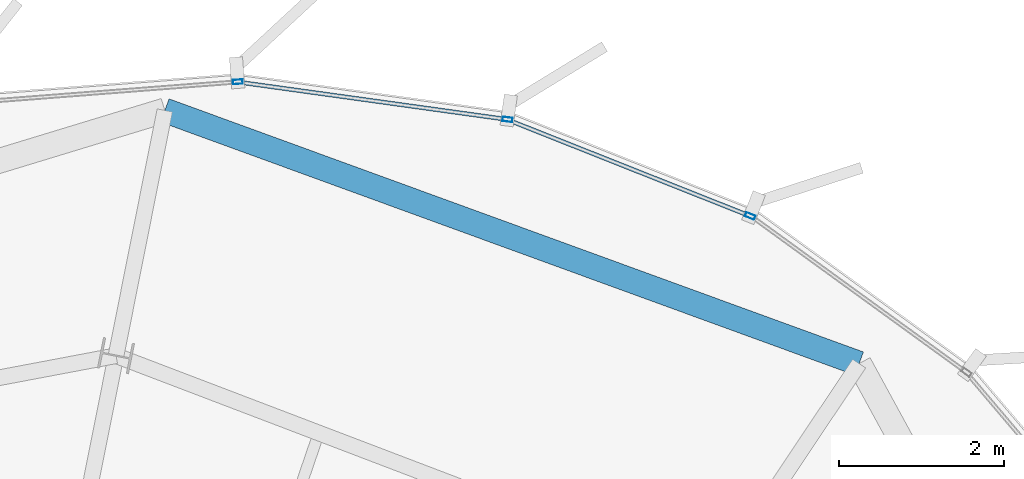
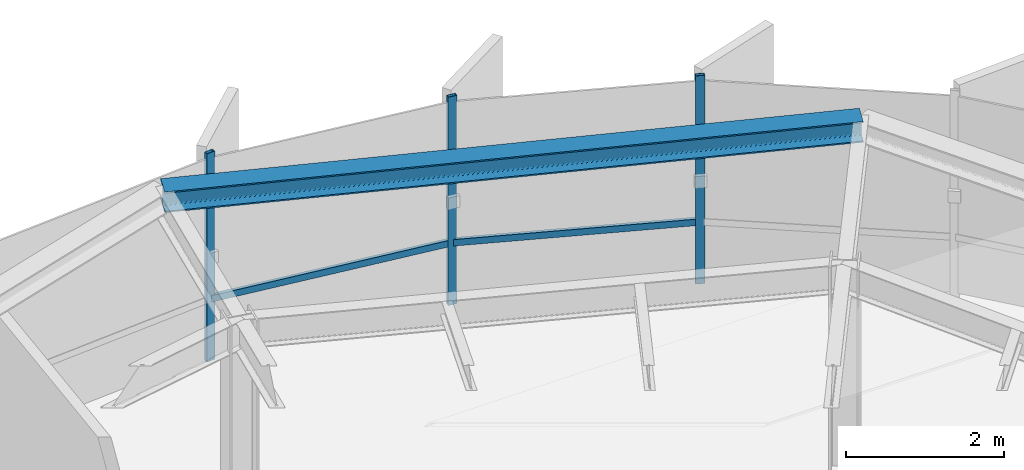
# One storey, part 23 of 32: 5 members, 1 beam, 1 element without a shape of its own.
"""IFC4 building model written with IfcOpenShell, lengths in metres."""

from ifc_helpers import new_model, si_unit, direction, frame, origin, origin_2d, place, context, subcontext, project, spatial, hollow_rectangle, i_section, extrude, source, transform, mapped, material, layer, layer_set, material_profile, profile_set, type_object, element, aggregate, save


model = new_model("IFC4")

# Units and contexts
model_context = context("Model", 3, precision=1e-05, world=origin(), true_north=direction((0.0, 1.0)))
body_context = subcontext(model_context, "Body", "Model", "MODEL_VIEW")
ifc_project = project(units=[si_unit("LENGTHUNIT", "METRE"), si_unit("AREAUNIT", "SQUARE_METRE"), si_unit("VOLUMEUNIT", "CUBIC_METRE"), si_unit("PLANEANGLEUNIT", "RADIAN"), si_unit("MASSUNIT", "GRAM", prefix="KILO"), si_unit("THERMODYNAMICTEMPERATUREUNIT", "KELVIN")], contexts=[model_context])

# Site, building, storey
site_placement = place(None, origin())
site = spatial("IfcSite", under=ifc_project, at=site_placement, CompositionType="ELEMENT")
building_placement = place(site_placement, origin())
building = spatial("IfcBuilding", under=site, at=building_placement, Name="Kethvar Cultural Tower", CompositionType="ELEMENT")
storey_placement = place(building_placement, frame((0.0, 0.0, 280.14990234375)))
storey = spatial("IfcBuildingStorey", under=building, at=storey_placement, Name="L74", CompositionType="ELEMENT", Elevation=280.14990234375)

# Beam
ifc_material_1 = material(Name="Steel S355J2", Category="steel")
ifc_material_profile_1 = material_profile(ifc_material_1, i_section(OverallWidth=0.300048828125, OverallDepth=0.320068359375, WebThickness=0.011474609375, FlangeThickness=0.0205078125, FilletRadius=0.027099609375, at=origin_2d()), Name="Steel S355J2 — HEB320")
ifc_profile_set_1 = profile_set([ifc_material_profile_1], Name="Steel S355J2 — HEB320")
beam_type = type_object("IfcBeamType", Name="BM-SP320", PredefinedType="SPANDREL", material=ifc_profile_set_1)
shared_shape_1 = source(origin(), body_context, "Body", "SweptSolid", [
    extrude(i_section(OverallWidth=0.300048828125, OverallDepth=0.320068359375, WebThickness=0.011474609375, FlangeThickness=0.0205078125, FilletRadius=0.027099609375, at=origin_2d()), origin(), (0.0, 0.0, 1.0), 8.958251953125),
])
beam_placement = place(storey_placement, frame((59.653076171875, 47.035888671875, 3.048095703125), z_axis=(-0.939521790286, 0.342489132057, 0.0), x_axis=(-0.342489132057, -0.939521790286, 0.0)))
element("IfcBeam", 1, at=beam_placement, inside=storey, type_object=beam_type, Name="L74 Perimeter Spandrel Beam SP-03", PredefinedType="SPANDREL", context=body_context, shape_type="MappedRepresentation", body=[
    mapped(shared_shape_1, transform((0.0, 0.0, 0.0), scale=1.0)),
])

# Curtain wall, members
ifc_material_2 = material(Name="Aluminium 6063-T6", Category="aluminium")
ifc_layer = layer(ifc_material_2, 0.179931640625, Name="Aluminium 6063-T6", Category="aluminium")
ifc_layer_set = layer_set([ifc_layer], Name="Aluminium 6063-T6 (180 mm)")
curtain_wall_type = type_object("IfcCurtainWallType", Name="CW-SYS-05-Z56", PredefinedType="NOTDEFINED", material=ifc_layer_set)
curtain_wall_placement = place(storey_placement, origin())
curtain_wall = element("IfcCurtainWall", 2, at=curtain_wall_placement, inside=storey, type_object=curtain_wall_type, Name="L74 Curtain Wall Run 01", PredefinedType="NOTDEFINED")
ifc_material_profile_2 = material_profile(ifc_material_2, hollow_rectangle(XDim=0.054931640625, YDim=0.1201171875, WallThickness=0.00390625, at=origin_2d()), Name="Aluminium 6063-T6 — RHS120x55x4")
ifc_profile_set_2 = profile_set([ifc_material_profile_2], Name="Aluminium 6063-T6 — RHS120x55x4")
member_type_1 = type_object("IfcMemberType", Name="CW-SYS-05-Z56-MUL", PredefinedType="MULLION", material=ifc_profile_set_2)
shared_shape_2 = source(origin(), body_context, "Body", "SweptSolid", [
    extrude(hollow_rectangle(XDim=0.054931640625, YDim=0.1201171875, WallThickness=0.00390625, at=origin_2d()), origin(), (0.0, 0.0, 1.0), 3.210205078125),
])
member_1_placement = place(storey_placement, frame((58.331787109375, 48.823974609375, 0.0), z_axis=(0.0, 0.0, 1.0), x_axis=(-0.36888712881, -0.92947419878, 0.0)))
member_1 = element("IfcMember", 3, at=member_1_placement, type_object=member_type_1, Name="CW-L74-R01 Mullion 1", PredefinedType="MULLION", context=body_context, shape_type="MappedRepresentation", body=[
    mapped(shared_shape_2, transform((0.0, 0.0, 0.0), scale=1.0)),
])
member_2_placement = place(storey_placement, frame((55.389892578125, 49.99462890625, 0.0), z_axis=(0.0, 0.0, 1.0), x_axis=(-0.137513696308, -0.990499865385, 0.0)))
member_2 = element("IfcMember", 4, at=member_2_placement, type_object=member_type_1, Name="CW-L74-R01 Mullion 2", PredefinedType="MULLION", context=body_context, shape_type="MappedRepresentation", body=[
    mapped(shared_shape_2, transform((0.0, 0.0, 0.0), scale=1.0)),
])
member_3_placement = place(storey_placement, frame((52.12158203125, 50.45068359375, 0.0), z_axis=(0.0, 0.0, 1.0), x_axis=(0.077606492137, -0.996984068267, 0.0)))
member_3 = element("IfcMember", 5, at=member_3_placement, type_object=member_type_1, Name="CW-L74-R01 Mullion 3", PredefinedType="MULLION", context=body_context, shape_type="MappedRepresentation", body=[
    mapped(shared_shape_2, transform((0.0, 0.0, 0.0), scale=1.0)),
])
ifc_material_profile_3 = material_profile(ifc_material_2, hollow_rectangle(XDim=0.050048828125, YDim=0.10009765625, WallThickness=0.00390625, at=origin_2d()), Name="Aluminium 6063-T6 — RHS100x50x4")
ifc_profile_set_3 = profile_set([ifc_material_profile_3], Name="Aluminium 6063-T6 — RHS100x50x4")
member_type_2 = type_object("IfcMemberType", Name="CW-SYS-05-Z56-TRN", PredefinedType="USERDEFINED", material=ifc_profile_set_3)
shared_shape_3 = source(origin(), body_context, "Body", "SweptSolid", [
    extrude(hollow_rectangle(XDim=0.050048828125, YDim=0.10009765625, WallThickness=0.00390625, at=origin_2d()), origin(), (0.0, 0.0, 1.0), 3.146240234375),
])
member_4_placement = place(storey_placement, frame((58.328125, 48.825439453125, 0.9501953125), z_axis=(-0.929468751014, 0.368900855094, 0.0), x_axis=(-0.368900855094, -0.929468751014, 0.0)))
member_4 = element("IfcMember", 6, at=member_4_placement, type_object=member_type_2, Name="CW-L74-R01 Transom 1", ObjectType="TRANSOM", PredefinedType="USERDEFINED", context=body_context, shape_type="MappedRepresentation", body=[
    mapped(shared_shape_3, transform((0.0, 0.0, 0.0), scale=1.0)),
])
shared_shape_4 = source(origin(), body_context, "Body", "SweptSolid", [
    extrude(hollow_rectangle(XDim=0.050048828125, YDim=0.10009765625, WallThickness=0.00390625, at=origin_2d()), origin(), (0.0, 0.0, 1.0), 3.242431640625),
])
member_5_placement = place(storey_placement, frame((55.350830078125, 50.0, 0.9501953125), z_axis=(-0.990503384623, 0.13748834514, 0.0), x_axis=(-0.13748834514, -0.990503384623, 0.0)))
member_5 = element("IfcMember", 7, at=member_5_placement, type_object=member_type_2, Name="CW-L74-R01 Transom 2", ObjectType="TRANSOM", PredefinedType="USERDEFINED", context=body_context, shape_type="MappedRepresentation", body=[
    mapped(shared_shape_4, transform((0.0, 0.0, 0.0), scale=1.0)),
])
aggregate(curtain_wall, [member_1, member_2, member_3, member_4, member_5])

save(model, "model.ifc")
